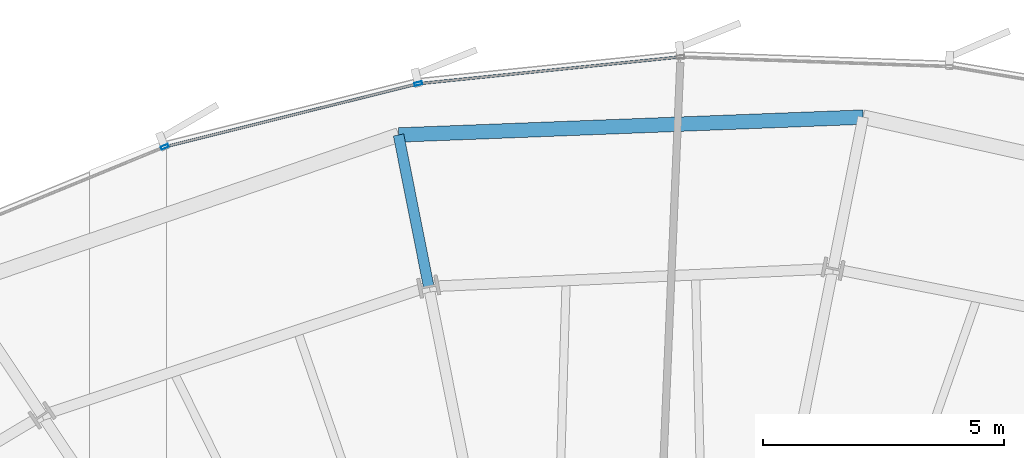
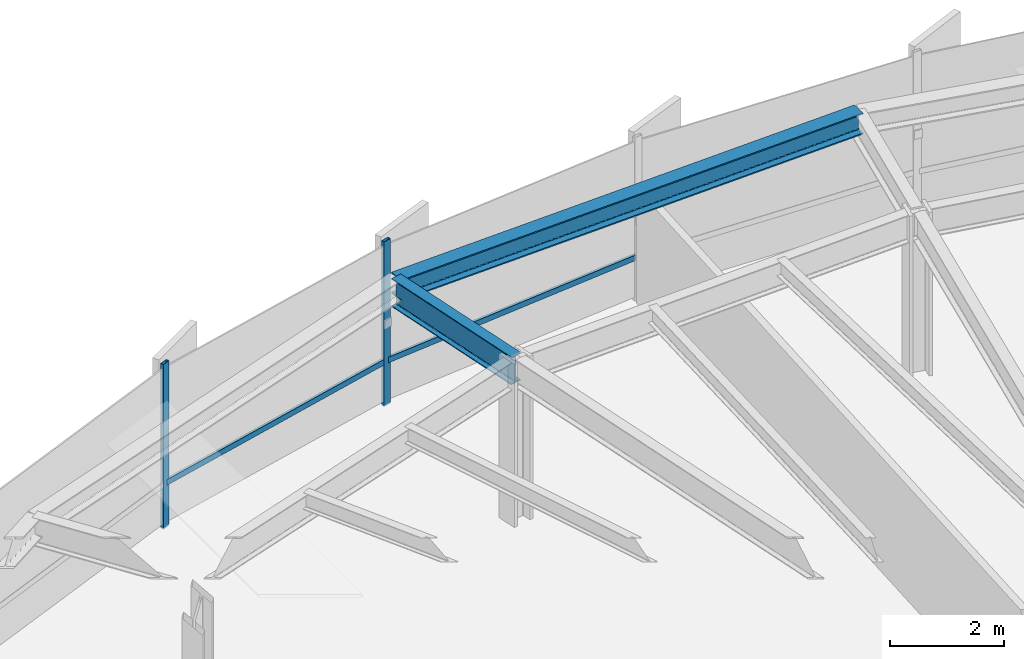
# One storey, part 22 of 35: 4 members, 2 beams, 1 element without a shape of its own.
"""IFC4 building model written with IfcOpenShell, lengths in metres."""

from ifc_helpers import new_model, si_unit, direction, frame, origin, origin_2d, place, context, subcontext, project, spatial, hollow_rectangle, i_section, extrude, source, transform, mapped, material, layer, layer_set, material_profile, profile_set, type_object, element, aggregate, save


model = new_model("IFC4")

# Units and contexts
model_context = context("Model", 3, precision=1e-05, world=origin(), true_north=direction((0.0, 1.0)))
body_context = subcontext(model_context, "Body", "Model", "MODEL_VIEW")
ifc_project = project(units=[si_unit("LENGTHUNIT", "METRE"), si_unit("AREAUNIT", "SQUARE_METRE"), si_unit("VOLUMEUNIT", "CUBIC_METRE"), si_unit("PLANEANGLEUNIT", "RADIAN"), si_unit("MASSUNIT", "GRAM", prefix="KILO"), si_unit("THERMODYNAMICTEMPERATUREUNIT", "KELVIN")], contexts=[model_context])

# Site, building, storey
site_placement = place(None, origin())
site = spatial("IfcSite", under=ifc_project, at=site_placement, CompositionType="ELEMENT")
building_placement = place(site_placement, origin())
building = spatial("IfcBuilding", under=site, at=building_placement, Name="Kethvar Cultural Tower", CompositionType="ELEMENT")
storey_placement = place(building_placement, frame((0.0, 0.0, 71.39990234375)))
storey = spatial("IfcBuildingStorey", under=building, at=storey_placement, Name="L17", CompositionType="ELEMENT", Elevation=71.39990234375)

# Beams
ifc_material_1 = material(Name="Steel S355J2", Category="steel")
ifc_material_profile_1 = material_profile(ifc_material_1, i_section(OverallWidth=0.219970703125, OverallDepth=0.60009765625, WebThickness=0.011962890625, FlangeThickness=0.01904296875, FilletRadius=0.02392578125, at=origin_2d()), Name="Steel S355J2 — IPE600")
ifc_profile_set_1 = profile_set([ifc_material_profile_1], Name="Steel S355J2 — IPE600")
beam_type_1 = type_object("IfcBeamType", Name="BM-IPE600", PredefinedType="BEAM", material=ifc_profile_set_1)
shared_shape_1 = source(origin(), body_context, "Body", "SweptSolid", [
    extrude(i_section(OverallWidth=0.219970703125, OverallDepth=0.60009765625, WebThickness=0.011962890625, FlangeThickness=0.01904296875, FilletRadius=0.02392578125, at=origin_2d()), origin(), (0.0, 0.0, 1.0), 3.199951171875),
])
beam_1_placement = place(storey_placement, frame((42.651611328125, 48.65576171875, 3.238037109375), z_axis=(-0.195162356126, 0.980770949178, 0.0), x_axis=(-0.980770949178, -0.195162356126, 0.0)))
element("IfcBeam", 1, at=beam_1_placement, inside=storey, type_object=beam_type_1, Name="L17 Perimeter Cantilever Beam RC-05", PredefinedType="BEAM", context=body_context, shape_type="MappedRepresentation", body=[
    mapped(shared_shape_1, transform((0.0, 0.0, 0.0), scale=1.0)),
])
ifc_material_profile_2 = material_profile(ifc_material_1, i_section(OverallWidth=0.300048828125, OverallDepth=0.449951171875, WebThickness=0.013916015625, FlangeThickness=0.02587890625, FilletRadius=0.027099609375, at=origin_2d()), Name="Steel S355J2 — HEB450")
ifc_profile_set_2 = profile_set([ifc_material_profile_2], Name="Steel S355J2 — HEB450")
beam_type_2 = type_object("IfcBeamType", Name="BM-SP450", PredefinedType="SPANDREL", material=ifc_profile_set_2)
shared_shape_2 = source(origin(), body_context, "Body", "SweptSolid", [
    extrude(i_section(OverallWidth=0.300048828125, OverallDepth=0.449951171875, WebThickness=0.013916015625, FlangeThickness=0.02587890625, FilletRadius=0.027099609375, at=origin_2d()), origin(), (0.0, 0.0, 1.0), 9.62646484375),
])
beam_2_placement = place(storey_placement, frame((51.646484375, 52.164306640625, 3.31298828125), z_axis=(-0.999260612605, -0.038447732004, 0.0), x_axis=(0.038447732004, -0.999260612605, 0.0)))
element("IfcBeam", 2, at=beam_2_placement, inside=storey, type_object=beam_type_2, Name="L17 Perimeter Spandrel Beam SP-04", PredefinedType="SPANDREL", context=body_context, shape_type="MappedRepresentation", body=[
    mapped(shared_shape_2, transform((0.0, 0.0, 0.0), scale=1.0)),
])

# Curtain wall, members
ifc_material_2 = material(Name="Aluminium 6063-T6", Category="aluminium")
ifc_layer = layer(ifc_material_2, 0.179931640625, Name="Aluminium 6063-T6", Category="aluminium")
ifc_layer_set = layer_set([ifc_layer], Name="Aluminium 6063-T6 (180 mm)")
curtain_wall_type = type_object("IfcCurtainWallType", Name="CW-SYS-02-Z1", PredefinedType="NOTDEFINED", material=ifc_layer_set)
curtain_wall_placement = place(storey_placement, origin())
curtain_wall = element("IfcCurtainWall", 3, at=curtain_wall_placement, inside=storey, type_object=curtain_wall_type, Name="L17 Curtain Wall Run 02", PredefinedType="NOTDEFINED")
ifc_material_profile_3 = material_profile(ifc_material_2, hollow_rectangle(XDim=0.054931640625, YDim=0.1201171875, WallThickness=0.00390625, at=origin_2d()), Name="Aluminium 6063-T6 — RHS120x55x4")
ifc_profile_set_3 = profile_set([ifc_material_profile_3], Name="Aluminium 6063-T6 — RHS120x55x4")
member_type_1 = type_object("IfcMemberType", Name="CW-SYS-02-Z1-TRN", PredefinedType="USERDEFINED", material=ifc_profile_set_3)
shared_shape_3 = source(origin(), body_context, "Body", "SweptSolid", [
    extrude(hollow_rectangle(XDim=0.054931640625, YDim=0.1201171875, WallThickness=0.00390625, at=origin_2d()), origin(), (0.0, 0.0, 1.0), 5.38134765625),
])
member_1_placement = place(storey_placement, frame((47.81884765625, 53.405517578125, 0.9501953125), z_axis=(-0.994818328529, -0.101668545888, 0.0), x_axis=(0.101668545888, -0.994818328529, 0.0)))
member_1 = element("IfcMember", 4, at=member_1_placement, type_object=member_type_1, Name="CW-L17-R02 Transom 3", ObjectType="TRANSOM", PredefinedType="USERDEFINED", context=body_context, shape_type="MappedRepresentation", body=[
    mapped(shared_shape_3, transform((0.0, 0.0, 0.0), scale=1.0)),
])
ifc_material_profile_4 = material_profile(ifc_material_2, hollow_rectangle(XDim=0.06494140625, YDim=0.159912109375, WallThickness=0.0048828125, at=origin_2d()), Name="Aluminium 6063-T6 — RHS160x65x5")
ifc_profile_set_4 = profile_set([ifc_material_profile_4], Name="Aluminium 6063-T6 — RHS160x65x5")
member_type_2 = type_object("IfcMemberType", Name="CW-SYS-02-Z1-MUL", PredefinedType="MULLION", material=ifc_profile_set_4)
shared_shape_4 = source(origin(), body_context, "Body", "SweptSolid", [
    extrude(hollow_rectangle(XDim=0.06494140625, YDim=0.159912109375, WallThickness=0.0048828125, at=origin_2d()), origin(), (0.0, 0.0, 1.0), 3.5400390625),
])
member_2_placement = place(storey_placement, frame((42.435546875, 52.856689453125, 0.0), z_axis=(0.0, 0.0, 1.0), x_axis=(0.241972699833, -0.970283057945, 0.0)))
member_2 = element("IfcMember", 5, at=member_2_placement, type_object=member_type_2, Name="CW-L17-R02 Mullion 4", PredefinedType="MULLION", context=body_context, shape_type="MappedRepresentation", body=[
    mapped(shared_shape_4, transform((0.0, 0.0, 0.0), scale=1.0)),
])
member_3_placement = place(storey_placement, frame((37.1865234375, 51.548828125, 0.0), z_axis=(0.0, 0.0, 1.0), x_axis=(0.379262375738, -0.925289171205, 0.0)))
member_3 = element("IfcMember", 6, at=member_3_placement, type_object=member_type_2, Name="CW-L17-R02 Mullion 5", PredefinedType="MULLION", context=body_context, shape_type="MappedRepresentation", body=[
    mapped(shared_shape_4, transform((0.0, 0.0, 0.0), scale=1.0)),
])
shared_shape_5 = source(origin(), body_context, "Body", "SweptSolid", [
    extrude(hollow_rectangle(XDim=0.054931640625, YDim=0.1201171875, WallThickness=0.00390625, at=origin_2d()), origin(), (0.0, 0.0, 1.0), 5.3330078125),
])
member_4_placement = place(storey_placement, frame((42.39013671875, 52.84521484375, 0.9501953125), z_axis=(-0.970279680731, -0.241986241677, 0.0), x_axis=(0.241986241677, -0.970279680731, 0.0)))
member_4 = element("IfcMember", 7, at=member_4_placement, type_object=member_type_1, Name="CW-L17-R02 Transom 4", ObjectType="TRANSOM", PredefinedType="USERDEFINED", context=body_context, shape_type="MappedRepresentation", body=[
    mapped(shared_shape_5, transform((0.0, 0.0, 0.0), scale=1.0)),
])
aggregate(curtain_wall, [member_2, member_3, member_1, member_4])

save(model, "model.ifc")
